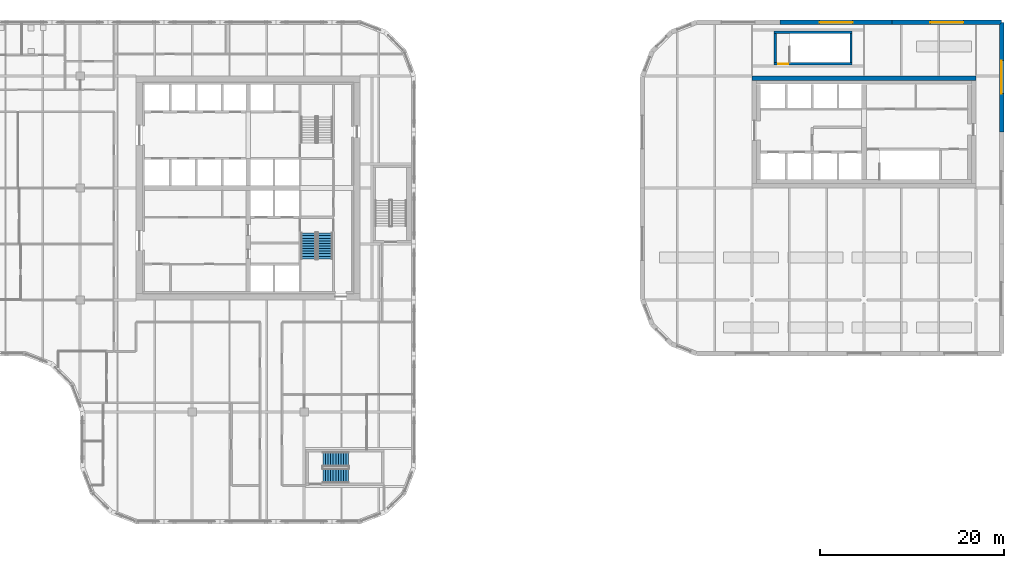
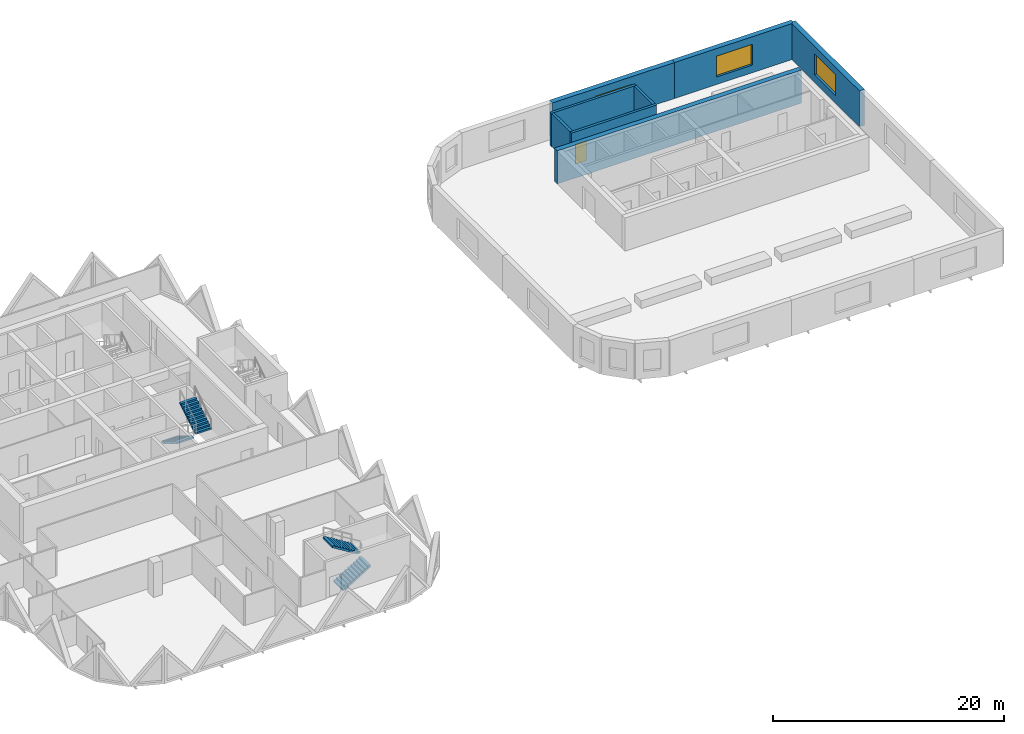
# One storey, part 13 of 17: 8 walls, 4 stair flights, 3 windows, 1 door, 4 openings, 2 elements without a shape of their own.
"""IFC4 building model written with IfcOpenShell, lengths in metres."""

from ifc_helpers import new_model, si_unit, direction, frame, frame_2d, origin, place, context, subcontext, project, spatial, polyline, rectangle, outline, extrude, faceted_brep, source, transform, mapped, material, layer, layer_set, type_object, element, fill, aggregate, save


model = new_model("IFC4")

# Units and contexts
model_context = context("Model", 3, precision=1e-05, world=origin(), true_north=direction((0.0, 1.0)))
body_context = subcontext(model_context, "Body", "Model", "MODEL_VIEW")
ifc_project = project(units=[si_unit("LENGTHUNIT", "METRE"), si_unit("AREAUNIT", "SQUARE_METRE"), si_unit("VOLUMEUNIT", "CUBIC_METRE"), si_unit("PLANEANGLEUNIT", "RADIAN"), si_unit("MASSUNIT", "GRAM", prefix="KILO")], contexts=[model_context])

# Site, building, storey
site_placement = place(None, origin())
site = spatial("IfcSite", under=ifc_project, at=site_placement, CompositionType="ELEMENT")
building_placement = place(site_placement, origin())
building = spatial("IfcBuilding", under=site, at=building_placement, Name="Tessera Gate Towers", CompositionType="ELEMENT")
storey_placement = place(building_placement, frame((0.0, 0.0, 112.60009765625)))
storey = spatial("IfcBuildingStorey", under=building, at=storey_placement, Name="L27", CompositionType="ELEMENT", Elevation=112.60009765625)

# Wall, opening, door
ifc_material_1 = material(Name="Concrete C40/50", Category="concrete")
ifc_layer_1 = layer(ifc_material_1, 0.25)
ifc_layer_set_1 = layer_set([ifc_layer_1], Name="CORE ENCLOSURE WALL 250")
wall_type_1 = type_object("IfcWallType", Name="CORE ENCLOSURE WALL 250", PredefinedType="SOLIDWALL", material=ifc_layer_set_1)
wall_1_placement = place(storey_placement, frame((108.5, 50.125, 0.0), z_axis=(0.0, 0.0, 1.0), x_axis=(-1.0, 0.0, 0.0)))
wall_1 = element("IfcWall", 1, at=wall_1_placement, inside=storey, type_object=wall_type_1, Name="L27 ST7 enclosure wall", PredefinedType="SOLIDWALL", context=body_context, shape_type="SweptSolid", body=[
    extrude(rectangle(XDim=8.5, YDim=0.25, at=frame_2d((4.25, 0.0))), origin(), (0.0, 0.0, 1.0), 3.5),
])
shared_shape_1 = source(origin(), body_context, "Body", "SweptSolid", [
    extrude(rectangle(XDim=1.10009765625, YDim=2.10009765625, at=frame_2d((0.550048828125, 1.050048828125))), frame((0.0, 0.135009765625, 0.0), z_axis=(0.0, -1.0, 0.0), x_axis=(1.0, 0.0, 0.0)), (0.0, 0.0, 1.0), 0.27001953125),
])
opening_1_placement = place(wall_1_placement, frame((6.949951171875, 0.0, 0.0)))
opening_1 = element("IfcOpeningElement", 2, at=opening_1_placement, cuts=wall_1, Name="Opening SD-ST7-1", PredefinedType="OPENING", context=body_context, shape_type="MappedRepresentation", body=[
    mapped(shared_shape_1, transform((0.0, 0.0, 0.0), scale=1.0)),
])
ifc_material_2 = material(Name="Hollow steel fire door", Category="steel")
door_type = type_object("IfcDoorType", Name="CORE DOOR SD1100 1100x2100", OperationType="NOTDEFINED", PredefinedType="DOOR", material=ifc_material_2)
shared_shape_2 = source(origin(), body_context, "Body", "SweptSolid", [
    extrude(rectangle(XDim=1.10009765625, YDim=2.10009765625, at=frame_2d((0.550048828125, 1.050048828125))), frame((0.0, 0.02490234375, 0.0), z_axis=(0.0, -1.0, 0.0), x_axis=(1.0, 0.0, 0.0)), (0.0, 0.0, 1.0), 0.050048828125),
])
door_placement = place(opening_1_placement, origin())
door = element("IfcDoor", 3, at=door_placement, inside=storey, type_object=door_type, Name="Stair door", OperationType="SINGLE_SWING_RIGHT", OverallHeight=2.10009765625, OverallWidth=1.10009765625, PredefinedType="DOOR", context=body_context, shape_type="MappedRepresentation", body=[
    mapped(shared_shape_2, transform((0.0, 0.0, 0.0), scale=1.0)),
])
fill(opening_1, door)

# Walls
wall_2_placement = place(storey_placement, frame((100.125, 50.25, 0.0), z_axis=(0.0, 0.0, 1.0), x_axis=(0.0, 1.0, 0.0)))
element("IfcWall", 4, at=wall_2_placement, inside=storey, type_object=wall_type_1, Name="L27 ST7 enclosure wall", PredefinedType="SOLIDWALL", context=body_context, shape_type="SweptSolid", body=[
    extrude(rectangle(XDim=3.199951171875, YDim=0.25, at=frame_2d((1.60009765625, 0.0))), origin(), (0.0, 0.0, 1.0), 3.5),
])
wall_3_placement = place(storey_placement, frame((100.0, 53.574951171875, 0.0), z_axis=(0.0, 0.0, 1.0), x_axis=(1.0, 0.0, 0.0)))
element("IfcWall", 5, at=wall_3_placement, inside=storey, type_object=wall_type_1, Name="L27 ST7 enclosure wall", PredefinedType="SOLIDWALL", context=body_context, shape_type="SweptSolid", body=[
    extrude(rectangle(XDim=8.5, YDim=0.25, at=frame_2d((4.25, 0.0))), origin(), (0.0, 0.0, 1.0), 3.5),
])
wall_4_placement = place(storey_placement, frame((108.375, 53.449951171875, 0.0), z_axis=(0.0, 0.0, 1.0), x_axis=(0.0, -1.0, 0.0)))
element("IfcWall", 6, at=wall_4_placement, inside=storey, type_object=wall_type_1, Name="L27 ST7 enclosure wall", PredefinedType="SOLIDWALL", context=body_context, shape_type="SweptSolid", body=[
    extrude(rectangle(XDim=3.199951171875, YDim=0.25, at=frame_2d((1.60009765625, 0.0))), origin(), (0.0, 0.0, 1.0), 3.5),
])
ifc_material_3 = material(Name="Concrete C50/60", Category="concrete")
ifc_layer_2 = layer(ifc_material_3, 0.5)
ifc_layer_set_2 = layer_set([ifc_layer_2], Name="CORE SHEAR WALL 500 C50/60")
wall_type_2 = type_object("IfcWallType", Name="CORE SHEAR WALL 500 C50/60", PredefinedType="SHEAR", material=ifc_layer_set_2)
wall_5_placement = place(storey_placement, frame((97.60009765625, 48.550048828125, 0.0), z_axis=(0.0, 0.0, 1.0), x_axis=(1.0, 0.0, 0.0)))
element("IfcWall", 7, at=wall_5_placement, inside=storey, type_object=wall_type_2, Name="Core wall N L27", PredefinedType="SHEAR", context=body_context, shape_type="SweptSolid", body=[
    extrude(rectangle(XDim=24.39990234375, YDim=0.5, at=frame_2d((12.199951171875, 0.0))), origin(), (0.0, 0.0, 1.0), 3.5),
])

# Wall, opening, window
ifc_material_4 = material(Name="Precast concrete C60/75 white", Category="concrete")
ifc_layer_3 = layer(ifc_material_4, 0.5)
ifc_layer_set_3 = layer_set([ifc_layer_3], Name="RB1 ring band panel")
wall_type_3 = type_object("IfcWallType", Name="RB1 ring band panel", PredefinedType="SOLIDWALL", material=ifc_layer_set_3)
shared_shape_3 = source(origin(), body_context, "Body", "SweptSolid", [
    extrude(outline(polyline([(0.0, 0.0), (12.199951171875, 0.0), (12.199951171875, 3.7998046875), (0.0, 3.7998046875), (0.0, 0.0)])), frame((0.0, 0.25, 0.0), z_axis=(0.0, -1.0, 0.0), x_axis=(1.0, 0.0, 0.0)), (0.0, 0.0, 1.0), 0.5),
])
wall_6_placement = place(storey_placement, frame((112.85009765625, 54.64990234375, 0.0), z_axis=(0.0, 0.0, 1.0), x_axis=(-1.0, 0.0, 0.0)))
wall_6 = element("IfcWall", 8, at=wall_6_placement, inside=storey, type_object=wall_type_3, Name="Ring band panel T2 RB1-0126", PredefinedType="SOLIDWALL", context=body_context, shape_type="MappedRepresentation", body=[
    mapped(shared_shape_3, transform((0.0, 0.0, 0.0), scale=1.0)),
])
shared_shape_4 = source(origin(), body_context, "Body", "SweptSolid", [
    extrude(outline(polyline([(4.300048828125, 0.7998046875), (7.89990234375, 0.7998046875), (7.89990234375, 3.0), (4.300048828125, 3.0), (4.300048828125, 0.7998046875)])), frame((0.0, 0.260009765625, 0.0), z_axis=(0.0, -1.0, 0.0), x_axis=(1.0, 0.0, 0.0)), (0.0, 0.0, 1.0), 0.52001953125),
])
opening_2_placement = place(wall_6_placement, origin())
opening_2 = element("IfcOpeningElement", 9, at=opening_2_placement, cuts=wall_6, Name="Opening T2-WN-LV1-0030", PredefinedType="OPENING", context=body_context, shape_type="MappedRepresentation", body=[
    mapped(shared_shape_4, transform((0.0, 0.0, 0.0), scale=1.0)),
])
ifc_material_5 = material(Name="Aluminium louvre", Category="aluminium")
ifc_layer_4 = layer(ifc_material_5, 0.06005859375)
ifc_layer_set_4 = layer_set([ifc_layer_4], Name="LV1 louvre")
window_type = type_object("IfcWindowType", Name="LV1 louvre", PartitioningType="USERDEFINED", PredefinedType="WINDOW", material=ifc_layer_set_4)
shared_shape_5 = source(origin(), body_context, "Body", "SweptSolid", [
    extrude(outline(polyline([(4.300048828125, 0.7998046875), (7.89990234375, 0.7998046875), (7.89990234375, 3.0), (4.300048828125, 3.0), (4.300048828125, 0.7998046875)])), frame((0.0, 0.030029296875, 0.0), z_axis=(0.0, -1.0, 0.0), x_axis=(1.0, 0.0, 0.0)), (0.0, 0.0, 1.0), 0.06005859375),
])
window_1_placement = place(opening_2_placement, origin())
window_1 = element("IfcWindow", 10, at=window_1_placement, inside=storey, type_object=window_type, Name="Louvre T2 WN-LV1-0030", OverallHeight=2.2001953125, OverallWidth=3.599853515625, PartitioningType="USERDEFINED", PredefinedType="WINDOW", context=body_context, shape_type="MappedRepresentation", body=[
    mapped(shared_shape_5, transform((0.0, 0.0, 0.0), scale=1.0)),
])
fill(opening_2, window_1)

shared_shape_6 = source(origin(), body_context, "Body", "Brep", [
    faceted_brep([(0.0, -0.25, 0.0), (11.949951171875, -0.25, 0.0), (11.949951171875, -0.25, 3.7998046875), (0.0, -0.25, 3.7998046875), (0.25, 0.25, 3.7998046875), (11.949951171875, 0.25, 3.7998046875), (11.949951171875, 0.25, 0.0), (0.25, 0.25, 0.0), (0.0, 0.0, 0.0), (0.0, 0.0, 3.7998046875)], [[[0, 1, 2, 3]], [[4, 5, 6, 7]], [[7, 6, 1, 0, 8]], [[6, 5, 2, 1]], [[5, 4, 9, 3, 2]], [[8, 0, 3, 9]], [[7, 8, 9, 4]]]),
])
wall_7_placement = place(storey_placement, frame((124.800048828125, 54.64990234375, 0.0), z_axis=(0.0, 0.0, 1.0), x_axis=(-1.0, 0.0, 0.0)))
wall_7 = element("IfcWall", 11, at=wall_7_placement, inside=storey, type_object=wall_type_3, Name="Ring band panel T2 RB1-0125", PredefinedType="SOLIDWALL", context=body_context, shape_type="MappedRepresentation", body=[
    mapped(shared_shape_6, transform((0.0, 0.0, 0.0), scale=1.0)),
])
shared_shape_7 = source(origin(), body_context, "Body", "SweptSolid", [
    extrude(outline(polyline([(4.175048828125, 0.7998046875), (7.77490234375, 0.7998046875), (7.77490234375, 3.0), (4.175048828125, 3.0), (4.175048828125, 0.7998046875)])), frame((0.0, 0.260009765625, 0.0), z_axis=(0.0, -1.0, 0.0), x_axis=(1.0, 0.0, 0.0)), (0.0, 0.0, 1.0), 0.52001953125),
])
opening_3_placement = place(wall_7_placement, origin())
opening_3 = element("IfcOpeningElement", 12, at=opening_3_placement, cuts=wall_7, Name="Opening T2-WN-LV1-0029", PredefinedType="OPENING", context=body_context, shape_type="MappedRepresentation", body=[
    mapped(shared_shape_7, transform((0.0, 0.0, 0.0), scale=1.0)),
])
shared_shape_8 = source(origin(), body_context, "Body", "SweptSolid", [
    extrude(outline(polyline([(4.175048828125, 0.7998046875), (7.77490234375, 0.7998046875), (7.77490234375, 3.0), (4.175048828125, 3.0), (4.175048828125, 0.7998046875)])), frame((0.0, 0.030029296875, 0.0), z_axis=(0.0, -1.0, 0.0), x_axis=(1.0, 0.0, 0.0)), (0.0, 0.0, 1.0), 0.06005859375),
])
window_2_placement = place(opening_3_placement, origin())
window_2 = element("IfcWindow", 13, at=window_2_placement, inside=storey, type_object=window_type, Name="Louvre T2 WN-LV1-0029", OverallHeight=2.2001953125, OverallWidth=3.599853515625, PartitioningType="USERDEFINED", PredefinedType="WINDOW", context=body_context, shape_type="MappedRepresentation", body=[
    mapped(shared_shape_8, transform((0.0, 0.0, 0.0), scale=1.0)),
])
fill(opening_3, window_2)

shared_shape_9 = source(origin(), body_context, "Body", "Brep", [
    faceted_brep([(0.0, -0.25, 0.0), (11.949951171875, -0.25, 0.0), (11.949951171875, -0.25, 3.7998046875), (0.0, -0.25, 3.7998046875), (0.0, 0.25, 3.7998046875), (11.699951171875, 0.25, 3.7998046875), (11.699951171875, 0.25, 0.0), (0.0, 0.25, 0.0), (11.949951171875, 0.0, 0.0), (11.949951171875, 0.0, 3.7998046875)], [[[0, 1, 2, 3]], [[4, 5, 6, 7]], [[7, 6, 8, 1, 0]], [[9, 2, 1, 8]], [[5, 4, 3, 2, 9]], [[4, 7, 0, 3]], [[8, 6, 5, 9]]]),
])
wall_8_placement = place(storey_placement, frame((124.800048828125, 42.699951171875, 0.0), z_axis=(0.0, 0.0, 1.0), x_axis=(0.0, 1.0, 0.0)))
wall_8 = element("IfcWall", 14, at=wall_8_placement, inside=storey, type_object=wall_type_3, Name="Ring band panel T2 RB1-0124", PredefinedType="SOLIDWALL", context=body_context, shape_type="MappedRepresentation", body=[
    mapped(shared_shape_9, transform((0.0, 0.0, 0.0), scale=1.0)),
])
opening_4_placement = place(wall_8_placement, origin())
opening_4 = element("IfcOpeningElement", 15, at=opening_4_placement, cuts=wall_8, Name="Opening T2-WN-LV1-0028", PredefinedType="OPENING", context=body_context, shape_type="MappedRepresentation", body=[
    mapped(shared_shape_7, transform((0.0, 0.0, 0.0), scale=1.0)),
])
window_3_placement = place(opening_4_placement, origin())
window_3 = element("IfcWindow", 16, at=window_3_placement, inside=storey, type_object=window_type, Name="Louvre T2 WN-LV1-0028", OverallHeight=2.2001953125, OverallWidth=3.599853515625, PartitioningType="USERDEFINED", PredefinedType="WINDOW", context=body_context, shape_type="MappedRepresentation", body=[
    mapped(shared_shape_8, transform((0.0, 0.0, 0.0), scale=1.0)),
])
fill(opening_4, window_3)

# Stair, stair flights
ifc_material_6 = material(Name="Concrete C40/50", Category="concrete")
stair_type_1 = type_object("IfcStairType", Name="EXIT STAIR ST1 1600", PredefinedType="HALF_TURN_STAIR", material=ifc_material_6)
stair_1_placement = place(storey_placement, origin())
stair_1 = element("IfcStair", 17, at=stair_1_placement, inside=storey, type_object=stair_type_1, Name="L27 Protected Exit Stair ST1", PredefinedType="HALF_TURN_STAIR")
ifc_material_7 = material(Name="Concrete C40/50", Category="concrete")
stair_flight_type_1 = type_object("IfcStairFlightType", Name="EXIT STAIR FLIGHT ST1 1600", PredefinedType="STRAIGHT", material=ifc_material_7)
stair_flight_1_placement = place(storey_placement, frame((49.27490234375, 31.675048828125, 0.0), z_axis=(0.0, 0.0, 1.0), x_axis=(0.0, -1.0, 0.0)))
stair_flight_1 = element("IfcStairFlight", 18, at=stair_flight_1_placement, type_object=stair_flight_type_1, Name="ST1 flight 1", NumberOfRisers=11, NumberOfTreads=10, PredefinedType="STRAIGHT", RiserHeight=0.172727273, TreadLength=0.28, context=body_context, shape_type="SweptSolid", body=[
    extrude(outline(polyline([(0.0, 0.0), (0.0, 0.172607421875), (0.280029296875, 0.172607421875), (0.280029296875, 0.345458984375), (0.56005859375, 0.345458984375), (0.56005859375, 0.51806640625), (0.840087890625, 0.51806640625), (0.840087890625, 0.69091796875), (1.1201171875, 0.69091796875), (1.1201171875, 0.863525390625), (1.39990234375, 0.863525390625), (1.39990234375, 1.036376953125), (1.679931640625, 1.036376953125), (1.679931640625, 1.208984375), (1.9599609375, 1.208984375), (1.9599609375, 1.3818359375), (2.239990234375, 1.3818359375), (2.239990234375, 1.554443359375), (2.52001953125, 1.554443359375), (2.52001953125, 1.727294921875), (2.800048828125, 1.727294921875), (2.800048828125, 1.89990234375), (2.800048828125, 1.551025390625), (0.285400390625, 0.0), (0.0, 0.0)])), frame((0.0, 0.800048828125, 0.0), z_axis=(0.0, -1.0, 0.0), x_axis=(1.0, 0.0, 0.0)), (0.0, 0.0, 1.0), 1.60009765625),
])
stair_flight_2_placement = place(storey_placement, frame((51.074951171875, 28.875, 1.89990234375), z_axis=(0.0, 0.0, 1.0), x_axis=(0.0, 1.0, 0.0)))
stair_flight_2 = element("IfcStairFlight", 19, at=stair_flight_2_placement, type_object=stair_flight_type_1, Name="ST1 flight 2", NumberOfRisers=11, NumberOfTreads=10, PredefinedType="STRAIGHT", RiserHeight=0.172727273, TreadLength=0.28, context=body_context, shape_type="SweptSolid", body=[
    extrude(outline(polyline([(0.0, 0.0), (0.0, 0.172607421875), (0.280029296875, 0.172607421875), (0.280029296875, 0.345458984375), (0.56005859375, 0.345458984375), (0.56005859375, 0.51806640625), (0.840087890625, 0.51806640625), (0.840087890625, 0.69091796875), (1.1201171875, 0.69091796875), (1.1201171875, 0.863525390625), (1.39990234375, 0.863525390625), (1.39990234375, 1.036376953125), (1.679931640625, 1.036376953125), (1.679931640625, 1.208984375), (1.9599609375, 1.208984375), (1.9599609375, 1.3818359375), (2.239990234375, 1.3818359375), (2.239990234375, 1.554443359375), (2.52001953125, 1.554443359375), (2.52001953125, 1.727294921875), (2.800048828125, 1.727294921875), (2.800048828125, 1.89990234375), (2.800048828125, 1.551025390625), (0.285400390625, 0.0), (0.0, 0.0)])), frame((0.0, 0.800048828125, 0.0), z_axis=(0.0, -1.0, 0.0), x_axis=(1.0, 0.0, 0.0)), (0.0, 0.0, 1.0), 1.60009765625),
])
aggregate(stair_1, [stair_flight_1, stair_flight_2])

ifc_material_8 = material(Name="Concrete C40/50", Category="concrete")
stair_type_2 = type_object("IfcStairType", Name="EXIT STAIR ST4 1600", PredefinedType="HALF_TURN_STAIR", material=ifc_material_8)
stair_2_placement = place(storey_placement, origin())
stair_2 = element("IfcStair", 20, at=stair_2_placement, inside=storey, type_object=stair_type_2, Name="L27 South Exit Stair ST4", PredefinedType="HALF_TURN_STAIR")
ifc_material_9 = material(Name="Concrete C40/50", Category="concrete")
stair_flight_type_2 = type_object("IfcStairFlightType", Name="EXIT STAIR FLIGHT ST4 1600", PredefinedType="STRAIGHT", material=ifc_material_9)
stair_flight_3_placement = place(storey_placement, frame((50.85009765625, 5.25, 0.0), z_axis=(0.0, 0.0, 1.0), x_axis=(1.0, 0.0, 0.0)))
stair_flight_3 = element("IfcStairFlight", 21, at=stair_flight_3_placement, type_object=stair_flight_type_2, Name="ST4 flight 1", NumberOfRisers=11, NumberOfTreads=10, PredefinedType="STRAIGHT", RiserHeight=0.172727273, TreadLength=0.28, context=body_context, shape_type="SweptSolid", body=[
    extrude(outline(polyline([(0.0, 0.0), (0.0, 0.172607421875), (0.280029296875, 0.172607421875), (0.280029296875, 0.345458984375), (0.56005859375, 0.345458984375), (0.56005859375, 0.51806640625), (0.840087890625, 0.51806640625), (0.840087890625, 0.69091796875), (1.1201171875, 0.69091796875), (1.1201171875, 0.863525390625), (1.39990234375, 0.863525390625), (1.39990234375, 1.036376953125), (1.679931640625, 1.036376953125), (1.679931640625, 1.208984375), (1.9599609375, 1.208984375), (1.9599609375, 1.3818359375), (2.239990234375, 1.3818359375), (2.239990234375, 1.554443359375), (2.52001953125, 1.554443359375), (2.52001953125, 1.727294921875), (2.800048828125, 1.727294921875), (2.800048828125, 1.89990234375), (2.800048828125, 1.551025390625), (0.285400390625, 0.0), (0.0, 0.0)])), frame((0.0, 0.800048828125, 0.0), z_axis=(0.0, -1.0, 0.0), x_axis=(1.0, 0.0, 0.0)), (0.0, 0.0, 1.0), 1.60009765625),
])
stair_flight_4_placement = place(storey_placement, frame((53.64990234375, 7.050048828125, 1.89990234375), z_axis=(0.0, 0.0, 1.0), x_axis=(-1.0, 0.0, 0.0)))
stair_flight_4 = element("IfcStairFlight", 22, at=stair_flight_4_placement, type_object=stair_flight_type_2, Name="ST4 flight 2", NumberOfRisers=11, NumberOfTreads=10, PredefinedType="STRAIGHT", RiserHeight=0.172727273, TreadLength=0.28, context=body_context, shape_type="SweptSolid", body=[
    extrude(outline(polyline([(0.0, 0.0), (0.0, 0.172607421875), (0.280029296875, 0.172607421875), (0.280029296875, 0.345458984375), (0.56005859375, 0.345458984375), (0.56005859375, 0.51806640625), (0.840087890625, 0.51806640625), (0.840087890625, 0.69091796875), (1.1201171875, 0.69091796875), (1.1201171875, 0.863525390625), (1.39990234375, 0.863525390625), (1.39990234375, 1.036376953125), (1.679931640625, 1.036376953125), (1.679931640625, 1.208984375), (1.9599609375, 1.208984375), (1.9599609375, 1.3818359375), (2.239990234375, 1.3818359375), (2.239990234375, 1.554443359375), (2.52001953125, 1.554443359375), (2.52001953125, 1.727294921875), (2.800048828125, 1.727294921875), (2.800048828125, 1.89990234375), (2.800048828125, 1.551025390625), (0.285400390625, 0.0), (0.0, 0.0)])), frame((0.0, 0.800048828125, 0.0), z_axis=(0.0, -1.0, 0.0), x_axis=(1.0, 0.0, 0.0)), (0.0, 0.0, 1.0), 1.60009765625),
])
aggregate(stair_2, [stair_flight_3, stair_flight_4])

save(model, "model.ifc")
